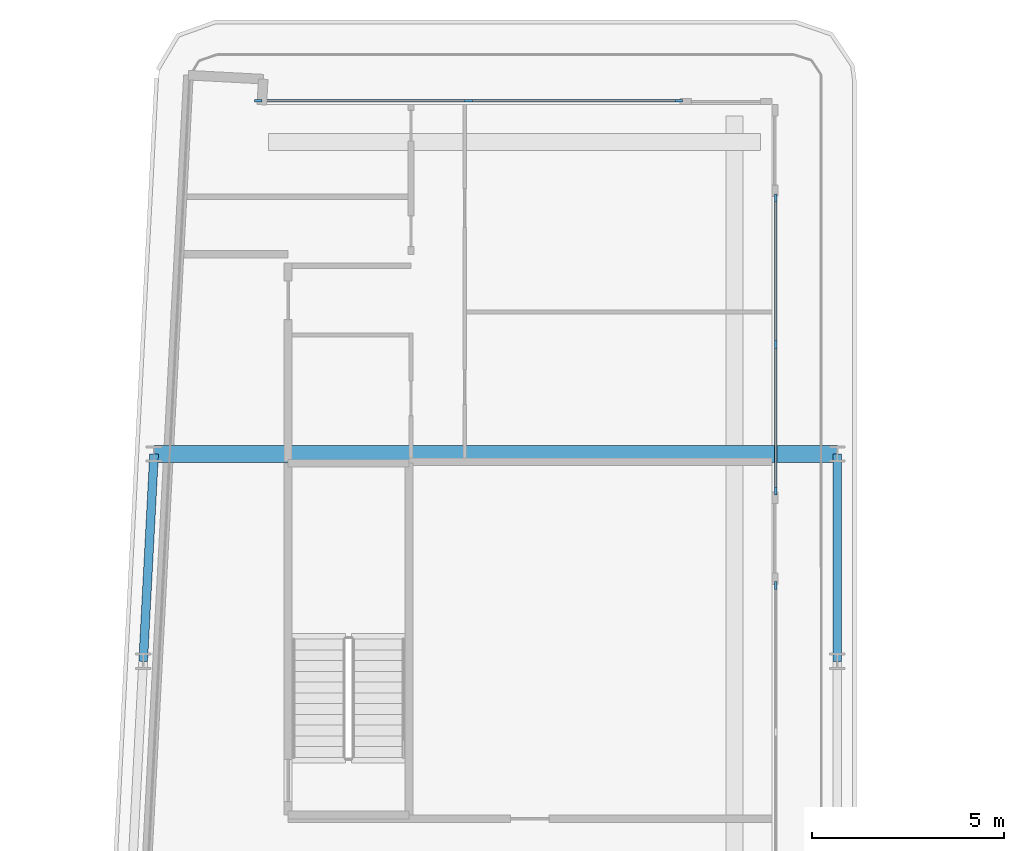
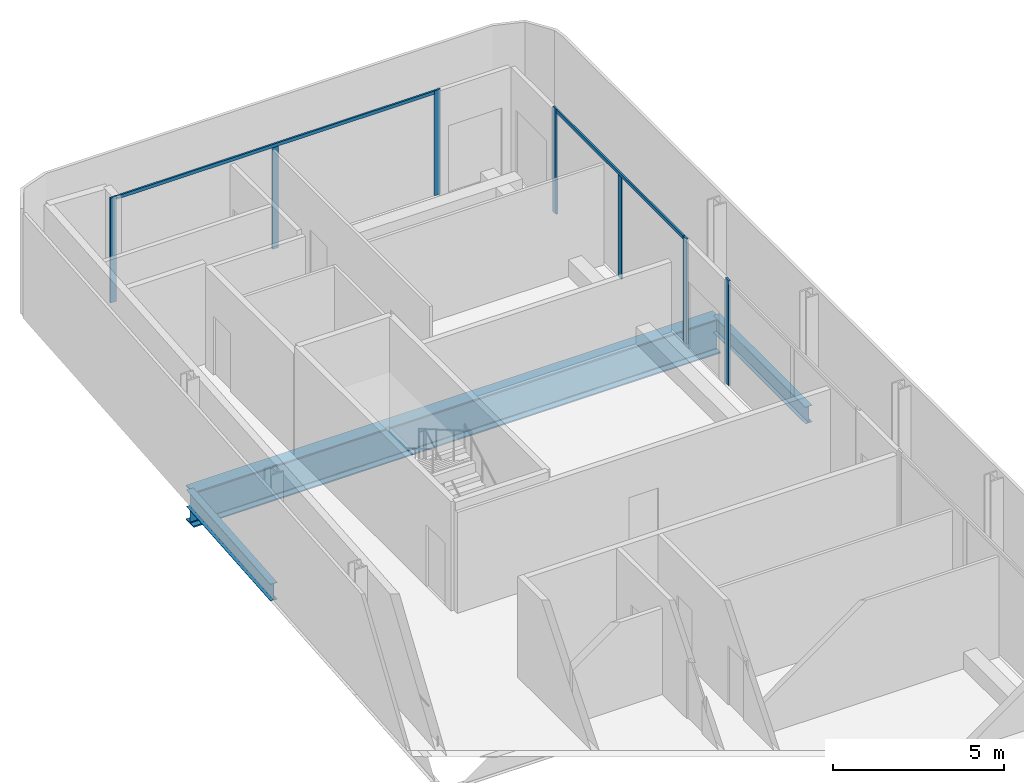
# One storey, part 11 of 28: 9 members, 3 beams, 3 elements without a shape of their own.
"""IFC4 building model written with IfcOpenShell, lengths in metres."""

from ifc_helpers import new_model, si_unit, direction, frame, origin, origin_2d, place, context, subcontext, project, spatial, rectangle, i_section, extrude, material, layer, layer_set, material_profile, profile_set, type_object, element, aggregate, save


model = new_model("IFC4")

# Units and contexts
model_context = context("Model", 3, precision=1e-05, world=origin(), true_north=direction((0.0, 1.0)))
body_context = subcontext(model_context, "Body", "Model", "MODEL_VIEW")
ifc_project = project(units=[si_unit("LENGTHUNIT", "METRE"), si_unit("AREAUNIT", "SQUARE_METRE"), si_unit("VOLUMEUNIT", "CUBIC_METRE"), si_unit("PLANEANGLEUNIT", "RADIAN"), si_unit("MASSUNIT", "GRAM", prefix="KILO")], contexts=[model_context])

# Site, building, storey
site_placement = place(None, origin())
site = spatial("IfcSite", under=ifc_project, at=site_placement, CompositionType="ELEMENT")
building_placement = place(site_placement, origin())
building = spatial("IfcBuilding", under=site, at=building_placement, Name="Kheshtan School and Residences Tower", CompositionType="ELEMENT")
storey_placement = place(building_placement, frame((0.0, 0.0, 187.699951171875)))
storey = spatial("IfcBuildingStorey", under=building, at=storey_placement, Name="L44", CompositionType="ELEMENT", Elevation=187.699951171875)

# Beams
ifc_material_1 = material(Name="Steel ASTM A992 Grade 50", Category="steel")
ifc_material_profile_1 = material_profile(ifc_material_1, i_section(OverallWidth=0.22802734375, OverallDepth=0.60302734375, WebThickness=0.010498046875, FlangeThickness=0.014892578125, FilletRadius=0.013427734375, at=origin_2d()), Name="W610x101")
ifc_profile_set_1 = profile_set([ifc_material_profile_1], Name="Steel ASTM A992 Grade 50")
beam_type_1 = type_object("IfcBeamType", Name="Beam SP2 W610x101 ASTM A992 Grade 50", PredefinedType="BEAM", material=ifc_profile_set_1)
beam_1_placement = place(storey_placement, frame((47.60009765625, 88.800048828125, -0.451416015625), z_axis=(0.0, -1.0, 0.0), x_axis=(1.0, 0.0, 0.0)))
element("IfcBeam", 1, at=beam_1_placement, inside=storey, type_object=beam_type_1, Name="Spandrel beam C099-C091", PredefinedType="BEAM", context=body_context, shape_type="SweptSolid", body=[
    extrude(i_section(OverallWidth=0.22802734375, OverallDepth=0.60302734375, WebThickness=0.010498046875, FlangeThickness=0.014892578125, FilletRadius=0.013427734375, at=origin_2d()), origin(), (0.0, 0.0, 1.0), 5.400146484375),
])
beam_2_placement = place(storey_placement, frame((29.527099609375, 83.39990234375, -0.451416015625), z_axis=(0.05250670125, 0.998620571751, 0.0), x_axis=(-0.998620571751, 0.05250670125, 0.0)))
element("IfcBeam", 2, at=beam_2_placement, inside=storey, type_object=beam_type_1, Name="Spandrel beam C090-C098", PredefinedType="BEAM", context=body_context, shape_type="SweptSolid", body=[
    extrude(i_section(OverallWidth=0.22802734375, OverallDepth=0.60302734375, WebThickness=0.010498046875, FlangeThickness=0.014892578125, FilletRadius=0.013427734375, at=origin_2d()), origin(), (0.0, 0.0, 1.0), 5.40771484375),
])

# Curtain wall, members
ifc_material_2 = material(Name="Clear low-e glass in thermally broken aluminium frame", Category="aluminium")
ifc_layer = layer(ifc_material_2, 0.199951171875)
ifc_layer_set = layer_set([ifc_layer], Name="Curtain wall CW-L")
curtain_wall_type = type_object("IfcCurtainWallType", Name="Curtain wall CW-L", PredefinedType="NOTDEFINED", material=ifc_layer_set)
curtain_wall_1_placement = place(storey_placement, origin())
curtain_wall_1 = element("IfcCurtainWall", 3, at=curtain_wall_1_placement, inside=storey, type_object=curtain_wall_type, Name="Curtain wall CWL7", PredefinedType="NOTDEFINED")
ifc_material_3 = material(Name="Thermally broken aluminium, dark bronze anodised", Category="aluminium")
ifc_material_profile_2 = material_profile(ifc_material_3, rectangle(XDim=0.06005859375, YDim=0.199951171875, at=origin_2d()), Name="CW-L mullion 60x200")
ifc_profile_set_2 = profile_set([ifc_material_profile_2], Name="Thermally broken aluminium, dark bronze anodised")
member_type_1 = type_object("IfcMemberType", Name="CW-L mullion 60x200", PredefinedType="MULLION", material=ifc_profile_set_2)
member_1_placement = place(storey_placement, frame((32.52197265625, 98.0, 0.0), z_axis=(0.0, 0.0, 1.0), x_axis=(0.0, 1.0, 0.0)))
member_1 = element("IfcMember", 4, at=member_1_placement, type_object=member_type_1, Name="CWL7 mullion 1", PredefinedType="MULLION", context=body_context, shape_type="SweptSolid", body=[
    extrude(rectangle(XDim=0.06005859375, YDim=0.199951171875, at=origin_2d()), origin(), (0.0, 0.0, 1.0), 3.75),
])
member_2_placement = place(storey_placement, frame((37.99609375, 98.0, 0.0), z_axis=(0.0, 0.0, 1.0), x_axis=(0.0, 1.0, 0.0)))
member_2 = element("IfcMember", 5, at=member_2_placement, type_object=member_type_1, Name="CWL7 mullion 2", PredefinedType="MULLION", context=body_context, shape_type="SweptSolid", body=[
    extrude(rectangle(XDim=0.06005859375, YDim=0.199951171875, at=origin_2d()), origin(), (0.0, 0.0, 1.0), 3.630126953125),
])
member_3_placement = place(storey_placement, frame((43.469970703125, 98.0, 0.0), z_axis=(0.0, 0.0, 1.0), x_axis=(0.0, 1.0, 0.0)))
member_3 = element("IfcMember", 6, at=member_3_placement, type_object=member_type_1, Name="CWL7 mullion 3", PredefinedType="MULLION", context=body_context, shape_type="SweptSolid", body=[
    extrude(rectangle(XDim=0.06005859375, YDim=0.199951171875, at=origin_2d()), origin(), (0.0, 0.0, 1.0), 3.75),
])

curtain_wall_2_placement = place(storey_placement, origin())
curtain_wall_2 = element("IfcCurtainWall", 7, at=curtain_wall_2_placement, inside=storey, type_object=curtain_wall_type, Name="Curtain wall CWL8", PredefinedType="NOTDEFINED")
member_4_placement = place(storey_placement, frame((46.0, 95.469970703125, 0.0), z_axis=(0.0, 0.0, 1.0), x_axis=(1.0, 0.0, 0.0)))
member_4 = element("IfcMember", 8, at=member_4_placement, type_object=member_type_1, Name="CWL8 mullion 1", PredefinedType="MULLION", context=body_context, shape_type="SweptSolid", body=[
    extrude(rectangle(XDim=0.06005859375, YDim=0.199951171875, at=origin_2d()), origin(), (0.0, 0.0, 1.0), 3.75),
])
member_5_placement = place(storey_placement, frame((46.0, 91.653076171875, 0.0), z_axis=(0.0, 0.0, 1.0), x_axis=(1.0, 0.0, 0.0)))
member_5 = element("IfcMember", 9, at=member_5_placement, type_object=member_type_1, Name="CWL8 mullion 2", PredefinedType="MULLION", context=body_context, shape_type="SweptSolid", body=[
    extrude(rectangle(XDim=0.06005859375, YDim=0.199951171875, at=origin_2d()), origin(), (0.0, 0.0, 1.0), 3.630126953125),
])
member_6_placement = place(storey_placement, frame((46.0, 87.8359375, 0.0), z_axis=(0.0, 0.0, 1.0), x_axis=(1.0, 0.0, 0.0)))
member_6 = element("IfcMember", 10, at=member_6_placement, type_object=member_type_1, Name="CWL8 mullion 3", PredefinedType="MULLION", context=body_context, shape_type="SweptSolid", body=[
    extrude(rectangle(XDim=0.06005859375, YDim=0.199951171875, at=origin_2d()), origin(), (0.0, 0.0, 1.0), 3.75),
])

# Curtain wall, member
curtain_wall_3_placement = place(storey_placement, origin())
curtain_wall_3 = element("IfcCurtainWall", 11, at=curtain_wall_3_placement, inside=storey, type_object=curtain_wall_type, Name="Curtain wall CWL8", PredefinedType="NOTDEFINED")
member_7_placement = place(storey_placement, frame((46.0, 85.3759765625, 0.0), z_axis=(0.0, 0.0, 1.0), x_axis=(1.0, 0.0, 0.0)))
member_7 = element("IfcMember", 12, at=member_7_placement, type_object=member_type_1, Name="CWL8 mullion 1", PredefinedType="MULLION", context=body_context, shape_type="SweptSolid", body=[
    extrude(rectangle(XDim=0.06005859375, YDim=0.199951171875, at=origin_2d()), origin(), (0.0, 0.0, 1.0), 3.75),
])
aggregate(curtain_wall_3, [member_7])

# Member
ifc_material_profile_3 = material_profile(ifc_material_3, rectangle(XDim=0.06005859375, YDim=0.1201171875, at=origin_2d()), Name="CW-L transom 60x120")
ifc_profile_set_3 = profile_set([ifc_material_profile_3], Name="Thermally broken aluminium, dark bronze anodised")
member_type_2 = type_object("IfcMemberType", Name="CW-L transom 60x120", PredefinedType="USERDEFINED", material=ifc_profile_set_3)
member_8_placement = place(storey_placement, frame((32.552001953125, 98.0, 3.68994140625), z_axis=(1.0, 0.0, 0.0), x_axis=(0.0, 1.0, 0.0)))
member_8 = element("IfcMember", 13, at=member_8_placement, type_object=member_type_2, Name="CWL7 transom 1", ObjectType="TRANSOM", PredefinedType="USERDEFINED", context=body_context, shape_type="SweptSolid", body=[
    extrude(rectangle(XDim=0.06005859375, YDim=0.1201171875, at=origin_2d()), origin(), (0.0, 0.0, 1.0), 10.887939453125),
])

aggregate(curtain_wall_1, [member_1, member_2, member_3, member_8])

member_9_placement = place(storey_placement, frame((46.0, 95.43994140625, 3.68994140625), z_axis=(0.0, -1.0, 0.0), x_axis=(1.0, 0.0, 0.0)))
member_9 = element("IfcMember", 14, at=member_9_placement, type_object=member_type_2, Name="CWL8 transom 1", ObjectType="TRANSOM", PredefinedType="USERDEFINED", context=body_context, shape_type="SweptSolid", body=[
    extrude(rectangle(XDim=0.06005859375, YDim=0.1201171875, at=origin_2d()), origin(), (0.0, 0.0, 1.0), 7.573974609375),
])

aggregate(curtain_wall_2, [member_4, member_5, member_6, member_9])

# Beam
ifc_material_profile_4 = material_profile(ifc_material_1, i_section(OverallWidth=0.449951171875, OverallDepth=1.25, WebThickness=0.02490234375, FlangeThickness=0.044921875, FilletRadius=0.03759765625, at=origin_2d()), Name="WWF1250x546")
ifc_profile_set_4 = profile_set([ifc_material_profile_4], Name="Steel ASTM A992 Grade 50")
beam_type_2 = type_object("IfcBeamType", Name="Transfer girder TG4 WWF1250x546 ASTM A992 Grade 50", PredefinedType="BEAM", material=ifc_profile_set_4)
beam_3_placement = place(storey_placement, frame((29.81103515625, 88.800048828125, -0.77490234375), z_axis=(1.0, 0.0, 0.0), x_axis=(0.0, 1.0, 0.0)))
element("IfcBeam", 15, at=beam_3_placement, inside=storey, type_object=beam_type_2, Name="Transfer girder C098-C099", PredefinedType="BEAM", context=body_context, shape_type="SweptSolid", body=[
    extrude(i_section(OverallWidth=0.449951171875, OverallDepth=1.25, WebThickness=0.02490234375, FlangeThickness=0.044921875, FilletRadius=0.03759765625, at=origin_2d()), origin(), (0.0, 0.0, 1.0), 17.7890625),
])

save(model, "model.ifc")
